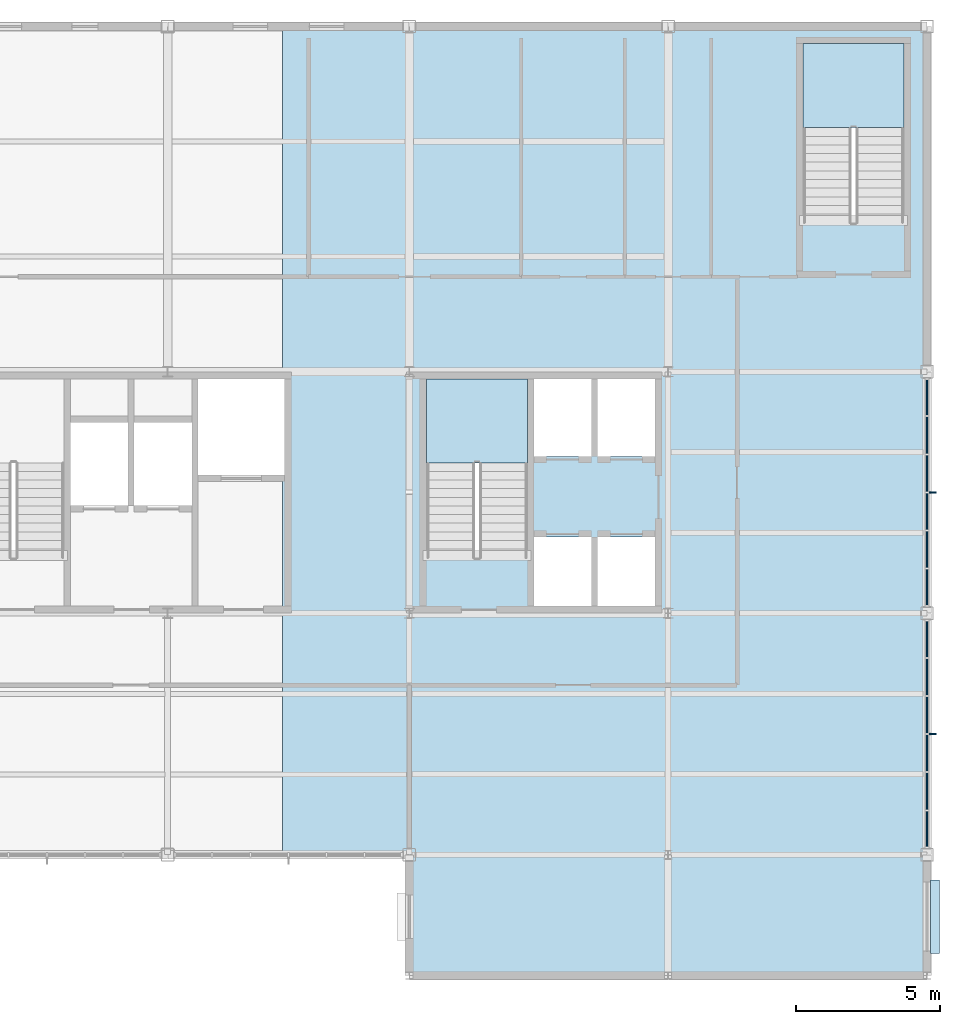
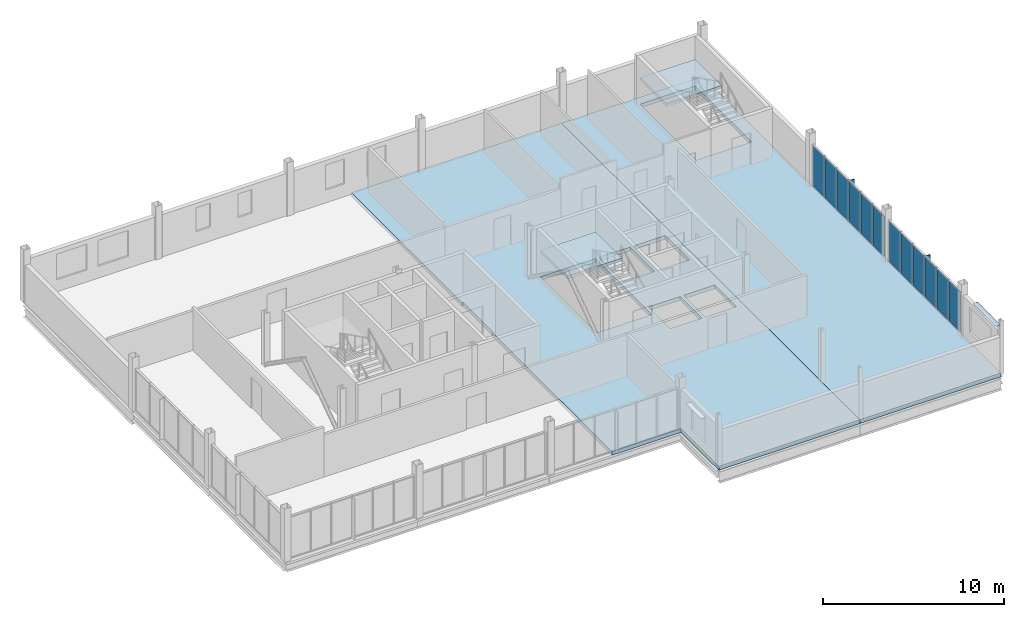
# One storey, part 11 of 16: 15 plates, 4 slabs, 4 elements without a shape of their own.
"""IFC4 building model written with IfcOpenShell, lengths in metres."""

from ifc_helpers import new_model, si_unit, direction, frame, origin, origin_2d, place, context, subcontext, project, spatial, polyline, rectangle, outline, extrude, material, layer, layer_set, type_object, element, aggregate, save


model = new_model("IFC4")

# Units and contexts
model_context = context("Model", 3, precision=1e-05, world=origin(), true_north=direction((0.0, 1.0)))
body_context = subcontext(model_context, "Body", "Model", "MODEL_VIEW")
ifc_project = project(units=[si_unit("LENGTHUNIT", "METRE"), si_unit("AREAUNIT", "SQUARE_METRE"), si_unit("VOLUMEUNIT", "CUBIC_METRE"), si_unit("PLANEANGLEUNIT", "RADIAN"), si_unit("MASSUNIT", "GRAM", prefix="KILO")], contexts=[model_context])

# Site, building, storey
site_placement = place(None, origin())
site = spatial("IfcSite", under=ifc_project, at=site_placement, CompositionType="ELEMENT")
building_placement = place(site_placement, origin())
building = spatial("IfcBuilding", under=site, at=building_placement, Name="Yukiwa Park Conservatory and Herbarium", CompositionType="ELEMENT")
storey_placement = place(building_placement, frame((0.0, 0.0, 43.199951171875)))
storey = spatial("IfcBuildingStorey", under=building, at=storey_placement, Name="L11", CompositionType="ELEMENT", Elevation=43.199951171875)

# Curtain wall, plates
ifc_material_1 = material(Name="Triple Low-E Insulated Glass", Category="glass")
ifc_layer_1 = layer(ifc_material_1, 0.22412109375)
ifc_layer_set_1 = layer_set([ifc_layer_1], Name="Triple Low-E Insulated Glass")
curtain_wall_type = type_object("IfcCurtainWallType", Name="CW-TOWER-CORNER-1400", PredefinedType="NOTDEFINED", material=ifc_layer_set_1)
curtain_wall_1_placement = place(storey_placement, origin())
curtain_wall_1 = element("IfcCurtainWall", 1, at=curtain_wall_1_placement, inside=storey, type_object=curtain_wall_type, Name="L11 unitised curtain wall CW-L11-112", PredefinedType="NOTDEFINED")
ifc_material_2 = material(Name="Triple Low-E Insulated Glass", Category="glass")
ifc_layer_2 = layer(ifc_material_2, 0.035888671875)
ifc_layer_set_2 = layer_set([ifc_layer_2], Name="Triple Low-E Insulated Glass")
plate_type_1 = type_object("IfcPlateType", Name="PL-CW-GLZ-36", PredefinedType="CURTAIN_PANEL", material=ifc_layer_set_2)
plate_1_placement = place(storey_placement, frame((168.0, 87.28759765625, 0.06982421875), z_axis=(0.0, 0.0, 1.0), x_axis=(0.0, 1.0, 0.0)))
plate_1 = element("IfcPlate", 2, at=plate_1_placement, type_object=plate_type_1, Name="CW-L11-112 vision panel 1.1", PredefinedType="CURTAIN_PANEL", context=body_context, shape_type="SweptSolid", body=[
    extrude(rectangle(XDim=1.2548828125, YDim=0.035888671875, at=origin_2d()), origin(), (0.0, 0.0, 1.0), 2.714111328125),
])
plate_2_placement = place(storey_placement, frame((168.0, 88.612548828125, 0.06982421875), z_axis=(0.0, 0.0, 1.0), x_axis=(0.0, 1.0, 0.0)))
plate_2 = element("IfcPlate", 3, at=plate_2_placement, type_object=plate_type_1, Name="CW-L11-112 vision panel 2.1", PredefinedType="CURTAIN_PANEL", context=body_context, shape_type="SweptSolid", body=[
    extrude(rectangle(XDim=1.2548828125, YDim=0.035888671875, at=origin_2d()), origin(), (0.0, 0.0, 1.0), 2.714111328125),
])
plate_3_placement = place(storey_placement, frame((168.0, 89.9375, 0.06982421875), z_axis=(0.0, 0.0, 1.0), x_axis=(0.0, 1.0, 0.0)))
plate_3 = element("IfcPlate", 4, at=plate_3_placement, type_object=plate_type_1, Name="CW-L11-112 vision panel 3.1", PredefinedType="CURTAIN_PANEL", context=body_context, shape_type="SweptSolid", body=[
    extrude(rectangle(XDim=1.2548828125, YDim=0.035888671875, at=origin_2d()), origin(), (0.0, 0.0, 1.0), 2.714111328125),
])
plate_4_placement = place(storey_placement, frame((168.0, 91.262451171875, 0.06982421875), z_axis=(0.0, 0.0, 1.0), x_axis=(0.0, 1.0, 0.0)))
plate_4 = element("IfcPlate", 5, at=plate_4_placement, type_object=plate_type_1, Name="CW-L11-112 vision panel 4.1", PredefinedType="CURTAIN_PANEL", context=body_context, shape_type="SweptSolid", body=[
    extrude(rectangle(XDim=1.2548828125, YDim=0.035888671875, at=origin_2d()), origin(), (0.0, 0.0, 1.0), 2.714111328125),
])
plate_5_placement = place(storey_placement, frame((168.0, 92.58740234375, 0.06982421875), z_axis=(0.0, 0.0, 1.0), x_axis=(0.0, 1.0, 0.0)))
plate_5 = element("IfcPlate", 6, at=plate_5_placement, type_object=plate_type_1, Name="CW-L11-112 vision panel 5.1", PredefinedType="CURTAIN_PANEL", context=body_context, shape_type="SweptSolid", body=[
    extrude(rectangle(XDim=1.2548828125, YDim=0.035888671875, at=origin_2d()), origin(), (0.0, 0.0, 1.0), 2.714111328125),
])
plate_6_placement = place(storey_placement, frame((168.0, 93.91259765625, 0.06982421875), z_axis=(0.0, 0.0, 1.0), x_axis=(0.0, 1.0, 0.0)))
plate_6 = element("IfcPlate", 7, at=plate_6_placement, type_object=plate_type_1, Name="CW-L11-112 vision panel 6.1", PredefinedType="CURTAIN_PANEL", context=body_context, shape_type="SweptSolid", body=[
    extrude(rectangle(XDim=1.2548828125, YDim=0.035888671875, at=origin_2d()), origin(), (0.0, 0.0, 1.0), 2.714111328125),
])
aggregate(curtain_wall_1, [plate_1, plate_2, plate_3, plate_4, plate_5, plate_6])

curtain_wall_2_placement = place(storey_placement, origin())
curtain_wall_2 = element("IfcCurtainWall", 8, at=curtain_wall_2_placement, inside=storey, type_object=curtain_wall_type, Name="L11 unitised curtain wall CW-L11-113", PredefinedType="NOTDEFINED")
plate_7_placement = place(storey_placement, frame((168.0, 95.6875, 0.06982421875), z_axis=(0.0, 0.0, 1.0), x_axis=(0.0, 1.0, 0.0)))
plate_7 = element("IfcPlate", 9, at=plate_7_placement, type_object=plate_type_1, Name="CW-L11-113 vision panel 1.1", PredefinedType="CURTAIN_PANEL", context=body_context, shape_type="SweptSolid", body=[
    extrude(rectangle(XDim=1.2548828125, YDim=0.035888671875, at=origin_2d()), origin(), (0.0, 0.0, 1.0), 2.714111328125),
])
plate_8_placement = place(storey_placement, frame((168.0, 97.012451171875, 0.06982421875), z_axis=(0.0, 0.0, 1.0), x_axis=(0.0, 1.0, 0.0)))
plate_8 = element("IfcPlate", 10, at=plate_8_placement, type_object=plate_type_1, Name="CW-L11-113 vision panel 2.1", PredefinedType="CURTAIN_PANEL", context=body_context, shape_type="SweptSolid", body=[
    extrude(rectangle(XDim=1.2548828125, YDim=0.035888671875, at=origin_2d()), origin(), (0.0, 0.0, 1.0), 2.714111328125),
])
plate_9_placement = place(storey_placement, frame((168.0, 98.33740234375, 0.06982421875), z_axis=(0.0, 0.0, 1.0), x_axis=(0.0, 1.0, 0.0)))
plate_9 = element("IfcPlate", 11, at=plate_9_placement, type_object=plate_type_1, Name="CW-L11-113 vision panel 3.1", PredefinedType="CURTAIN_PANEL", context=body_context, shape_type="SweptSolid", body=[
    extrude(rectangle(XDim=1.2548828125, YDim=0.035888671875, at=origin_2d()), origin(), (0.0, 0.0, 1.0), 2.714111328125),
])
plate_10_placement = place(storey_placement, frame((168.0, 99.66259765625, 0.06982421875), z_axis=(0.0, 0.0, 1.0), x_axis=(0.0, 1.0, 0.0)))
plate_10 = element("IfcPlate", 12, at=plate_10_placement, type_object=plate_type_1, Name="CW-L11-113 vision panel 4.1", PredefinedType="CURTAIN_PANEL", context=body_context, shape_type="SweptSolid", body=[
    extrude(rectangle(XDim=1.2548828125, YDim=0.035888671875, at=origin_2d()), origin(), (0.0, 0.0, 1.0), 2.714111328125),
])
plate_11_placement = place(storey_placement, frame((168.0, 100.987548828125, 0.06982421875), z_axis=(0.0, 0.0, 1.0), x_axis=(0.0, 1.0, 0.0)))
plate_11 = element("IfcPlate", 13, at=plate_11_placement, type_object=plate_type_1, Name="CW-L11-113 vision panel 5.1", PredefinedType="CURTAIN_PANEL", context=body_context, shape_type="SweptSolid", body=[
    extrude(rectangle(XDim=1.2548828125, YDim=0.035888671875, at=origin_2d()), origin(), (0.0, 0.0, 1.0), 2.714111328125),
])
plate_12_placement = place(storey_placement, frame((168.0, 102.3125, 0.06982421875), z_axis=(0.0, 0.0, 1.0), x_axis=(0.0, 1.0, 0.0)))
plate_12 = element("IfcPlate", 14, at=plate_12_placement, type_object=plate_type_1, Name="CW-L11-113 vision panel 6.1", PredefinedType="CURTAIN_PANEL", context=body_context, shape_type="SweptSolid", body=[
    extrude(rectangle(XDim=1.2548828125, YDim=0.035888671875, at=origin_2d()), origin(), (0.0, 0.0, 1.0), 2.714111328125),
])
aggregate(curtain_wall_2, [plate_7, plate_8, plate_9, plate_10, plate_11, plate_12])

# Plates
ifc_material_3 = material(Name="Anodised Aluminium", Category="aluminium")
ifc_layer_3 = layer(ifc_material_3, 0.050048828125)
ifc_layer_set_3 = layer_set([ifc_layer_3], Name="Anodised Aluminium")
plate_type_2 = type_object("IfcPlateType", Name="PL-FIN-ALU-50", PredefinedType="USERDEFINED", material=ifc_layer_set_3)
for number, where, z_axis, x_axis, name in (
    (15, (168.18994140625, 90.60009765625, 0.06005859375), (0.0, 0.0, 1.0), (0.0, 1.0, 0.0), "CW-L11-112 exterior vertical shading fin"),
    (16, (168.18994140625, 99.0, 0.06005859375), (0.0, 0.0, 1.0), (0.0, 1.0, 0.0), "CW-L11-113 exterior vertical shading fin"),
):
    element("IfcPlate", number, at=place(storey_placement, frame(where, z_axis=z_axis, x_axis=x_axis)), inside=storey, type_object=plate_type_2, Name=name, ObjectType="SHADING FIN", PredefinedType="USERDEFINED", context=body_context, shape_type="SweptSolid", body=[
        extrude(rectangle(XDim=0.050048828125, YDim=0.280029296875, at=origin_2d()), origin(), (0.0, 0.0, 1.0), 2.73388671875),
    ])
ifc_material_4 = material(Name="Anodised Aluminium", Category="aluminium")
ifc_layer_4 = layer(ifc_material_4, 0.0400390625)
ifc_layer_set_4 = layer_set([ifc_layer_4], Name="Anodised Aluminium")
plate_type_3 = type_object("IfcPlateType", Name="PL-SHADE-ALU-40", PredefinedType="SHEET", material=ifc_layer_set_4)
plate_13_placement = place(storey_placement, frame((168.280029296875, 84.25, 2.60009765625), z_axis=(0.0, 0.0, 1.0), x_axis=(0.0, 1.0, 0.0)))
element("IfcPlate", 17, at=plate_13_placement, inside=storey, type_object=plate_type_3, Name="L11 snow-shedding window hood 178", PredefinedType="SHEET", context=body_context, shape_type="SweptSolid", body=[
    extrude(rectangle(XDim=2.56005859375, YDim=0.300048828125, at=origin_2d()), origin(), (0.0, 0.0, 1.0), 0.0400390625),
])

# Slabs
ifc_material_5 = material(Name="Concrete C40", Category="concrete")
ifc_layer_5 = layer(ifc_material_5, 0.258056640625)
ifc_layer_set_5 = layer_set([ifc_layer_5], Name="Concrete C40")
slab_type_1 = type_object("IfcSlabType", Name="SL-FLR-258", PredefinedType="FLOOR", material=ifc_layer_set_5)
slab_1_placement = place(storey_placement, frame((0.0, 0.0, -0.258056640625)))
element("IfcSlab", 18, at=slab_1_placement, inside=storey, type_object=slab_type_1, Name="L11 composite structural floor slab V5C", PredefinedType="FLOOR", context=body_context, shape_type="SweptSolid", body=[
    extrude(outline(polyline([(150.0, 86.39990234375), (145.60009765625, 86.39990234375), (145.60009765625, 99.60009765625), (145.659912109375, 99.60009765625), (145.659912109375, 102.949951171875), (145.60009765625, 102.949951171875), (145.60009765625, 115.199951171875), (159.0, 115.199951171875), (159.0, 82.199951171875), (150.0, 82.199951171875), (150.0, 86.39990234375)]), holes=[polyline([(154.330078125, 97.449951171875), (154.330078125, 95.050048828125), (156.330078125, 95.050048828125), (156.330078125, 97.449951171875), (154.330078125, 97.449951171875)]), polyline([(156.550048828125, 97.449951171875), (156.550048828125, 95.050048828125), (158.550048828125, 95.050048828125), (158.550048828125, 97.449951171875), (156.550048828125, 97.449951171875)]), polyline([(154.110107421875, 102.949951171875), (150.60009765625, 102.949951171875), (150.60009765625, 96.72998046875), (154.110107421875, 96.72998046875), (154.110107421875, 102.949951171875)]), polyline([(154.330078125, 102.949951171875), (154.330078125, 100.25), (156.330078125, 100.25), (156.330078125, 102.949951171875), (154.330078125, 102.949951171875)]), polyline([(158.550048828125, 102.949951171875), (156.550048828125, 102.949951171875), (156.550048828125, 100.25), (158.550048828125, 100.25), (158.550048828125, 102.949951171875)])]), origin(), (0.0, 0.0, 1.0), 0.258056640625),
])
slab_2_placement = place(storey_placement, frame((0.0, 0.0, -0.258056640625)))
element("IfcSlab", 19, at=slab_2_placement, inside=storey, type_object=slab_type_1, Name="L11 composite structural floor slab V5E", PredefinedType="FLOOR", context=body_context, shape_type="SweptSolid", body=[
    extrude(outline(polyline([(168.0, 82.199951171875), (159.0, 82.199951171875), (159.0, 115.199951171875), (168.0, 115.199951171875), (168.0, 82.199951171875)]), holes=[polyline([(167.199951171875, 114.60009765625), (163.68994140625, 114.60009765625), (163.68994140625, 108.3798828125), (167.199951171875, 108.3798828125), (167.199951171875, 114.60009765625)])]), origin(), (0.0, 0.0, 1.0), 0.258056640625),
])

# Stair, slab
ifc_material_6 = material(Name="Concrete C40", Category="concrete")
stair_type_1 = type_object("IfcStairType", Name="ST-DOGLEG-ST-T2", PredefinedType="HALF_TURN_STAIR", material=ifc_material_6)
stair_1_placement = place(storey_placement, origin())
stair_1 = element("IfcStair", 20, at=stair_1_placement, inside=storey, type_object=stair_type_1, Name="L11 Protected Smoke-Proof Stair ST-T2", PredefinedType="HALF_TURN_STAIR")
ifc_material_7 = material(Name="Concrete C40", Category="concrete")
ifc_layer_6 = layer(ifc_material_7, 0.199951171875)
ifc_layer_set_6 = layer_set([ifc_layer_6], Name="Concrete C40")
slab_type_2 = type_object("IfcSlabType", Name="SL-LANDING-220", PredefinedType="LANDING", material=ifc_layer_set_6)
slab_3_placement = place(storey_placement, frame((0.0, 0.0, 1.60009765625)))
slab_3 = element("IfcSlab", 21, at=slab_3_placement, type_object=slab_type_2, Name="ST-T2 landing 1", PredefinedType="LANDING", context=body_context, shape_type="SweptSolid", body=[
    extrude(outline(polyline([(154.110107421875, 100.030029296875), (154.110107421875, 102.949951171875), (150.60009765625, 102.949951171875), (150.60009765625, 100.030029296875), (154.110107421875, 100.030029296875)])), origin(), (0.0, 0.0, 1.0), 0.199951171875),
])
aggregate(stair_1, [slab_3])

ifc_material_8 = material(Name="Concrete C40", Category="concrete")
stair_type_2 = type_object("IfcStairType", Name="ST-DOGLEG-ST-T3", PredefinedType="HALF_TURN_STAIR", material=ifc_material_8)
stair_2_placement = place(storey_placement, origin())
stair_2 = element("IfcStair", 22, at=stair_2_placement, inside=storey, type_object=stair_type_2, Name="L11 Protected Smoke-Proof Stair ST-T3", PredefinedType="HALF_TURN_STAIR")
slab_4_placement = place(storey_placement, frame((0.0, 0.0, 1.60009765625)))
slab_4 = element("IfcSlab", 23, at=slab_4_placement, type_object=slab_type_2, Name="ST-T3 landing 1", PredefinedType="LANDING", context=body_context, shape_type="SweptSolid", body=[
    extrude(outline(polyline([(167.199951171875, 111.679931640625), (167.199951171875, 114.60009765625), (163.68994140625, 114.60009765625), (163.68994140625, 111.679931640625), (167.199951171875, 111.679931640625)])), origin(), (0.0, 0.0, 1.0), 0.199951171875),
])
aggregate(stair_2, [slab_4])

save(model, "model.ifc")
